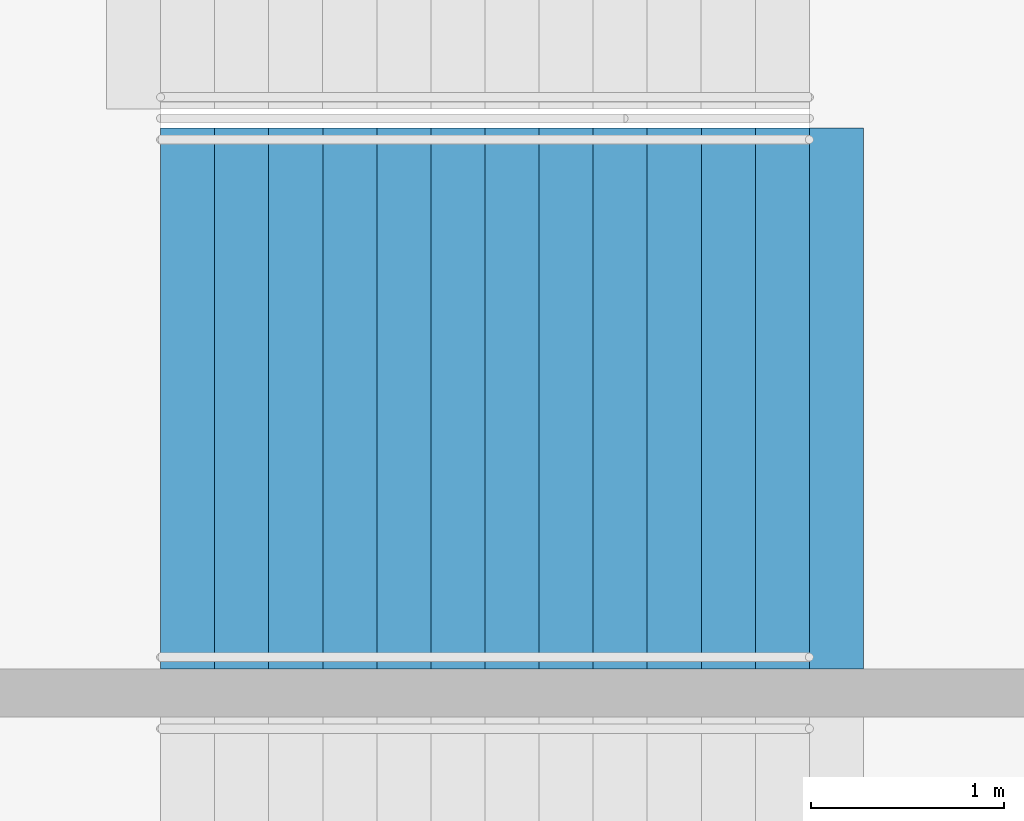
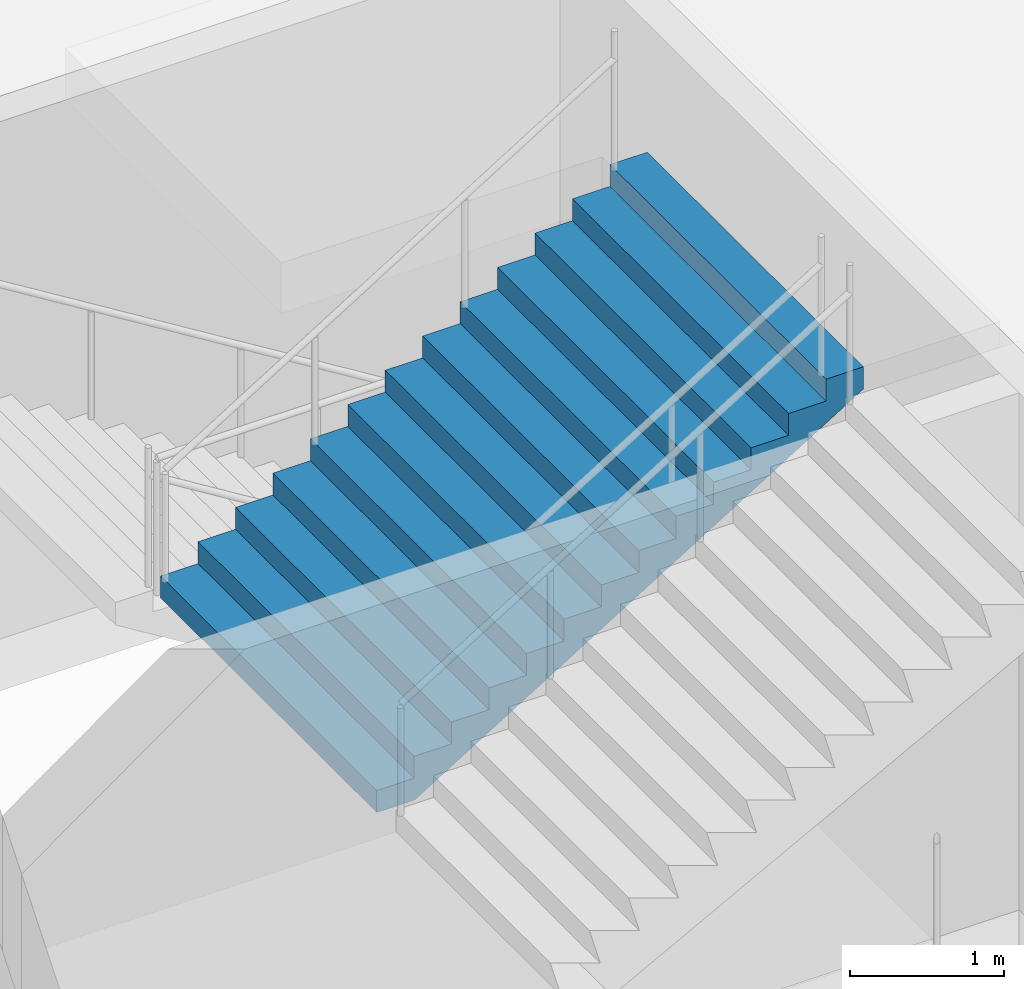
# One storey, part 158 of 249: 1 stair flight, 1 element without a shape of its own.
"""IFC4 building model written with IfcOpenShell, lengths in metres."""

from ifc_helpers import new_model, si_unit, direction, frame, origin, place, context, subcontext, project, spatial, faceted_brep, material, type_object, element, aggregate, save


model = new_model("IFC4")

# Units and contexts
model_context = context("Model", 3, precision=1e-05, world=origin(), true_north=direction((0.0, 1.0)))
body_context = subcontext(model_context, "Body", "Model", "MODEL_VIEW")
ifc_project = project(units=[si_unit("LENGTHUNIT", "METRE"), si_unit("AREAUNIT", "SQUARE_METRE"), si_unit("VOLUMEUNIT", "CUBIC_METRE"), si_unit("PLANEANGLEUNIT", "RADIAN"), si_unit("MASSUNIT", "GRAM", prefix="KILO")], contexts=[model_context])

# Site, building, storey
site_placement = place(None, origin())
site = spatial("IfcSite", under=ifc_project, at=site_placement, CompositionType="ELEMENT")
building_placement = place(site_placement, origin())
building = spatial("IfcBuilding", under=site, at=building_placement, Name="Ogive Plaza Stadium", CompositionType="ELEMENT")
storey_placement = place(building_placement, frame((0.0, 0.0, 13.5)))
storey = spatial("IfcBuildingStorey", under=building, at=storey_placement, Name="L03", CompositionType="ELEMENT", Elevation=13.5)

# Stair, stair flight
ifc_material_1 = material(Name="Concrete C40/50", Category="concrete")
stair_type = type_object("IfcStairType", Name="Exit stair", PredefinedType="STRAIGHT_RUN_STAIR", material=ifc_material_1)
stair_placement = place(storey_placement, origin())
stair = element("IfcStair", 1, at=stair_placement, inside=storey, type_object=stair_type, Name="Exit stair ST22A L03 to L04", PredefinedType="STRAIGHT_RUN_STAIR")
ifc_material_2 = material(Name="Concrete C40/50", Category="concrete")
stair_flight_type = type_object("IfcStairFlightType", Name="Exit stair flight", PredefinedType="STRAIGHT", material=ifc_material_2)
stair_flight_placement = place(storey_placement, frame((-79.7099609375, -35.97509765625, 2.25), z_axis=(0.0, 0.0, 1.0), x_axis=(1.0, 0.0, 0.0)))
stair_flight = element("IfcStairFlight", 2, at=stair_flight_placement, type_object=stair_flight_type, Name="ST22A flight 2", NumberOfRisers=13, NumberOfTreads=12, PredefinedType="STRAIGHT", RiserHeight=0.173076923, TreadLength=0.28, context=body_context, shape_type="Brep", body=[
    faceted_brep([(0.28515625, -1.39990234375, 0.0), (3.639892578125, -1.39990234375, 2.07373046875), (3.639892578125, -1.39990234375, 2.25), (3.360107421875, -1.39990234375, 2.25), (3.360107421875, -1.39990234375, 2.076904296875), (3.080078125, -1.39990234375, 2.076904296875), (3.080078125, -1.39990234375, 1.90380859375), (2.800048828125, -1.39990234375, 1.90380859375), (2.800048828125, -1.39990234375, 1.730712890625), (2.52001953125, -1.39990234375, 1.730712890625), (2.52001953125, -1.39990234375, 1.5576171875), (2.239990234375, -1.39990234375, 1.5576171875), (2.239990234375, -1.39990234375, 1.384521484375), (1.9599609375, -1.39990234375, 1.384521484375), (1.9599609375, -1.39990234375, 1.21142578125), (1.679931640625, -1.39990234375, 1.21142578125), (1.679931640625, -1.39990234375, 1.03857421875), (1.39990234375, -1.39990234375, 1.03857421875), (1.39990234375, -1.39990234375, 0.865478515625), (1.1201171875, -1.39990234375, 0.865478515625), (1.1201171875, -1.39990234375, 0.6923828125), (0.840087890625, -1.39990234375, 0.6923828125), (0.840087890625, -1.39990234375, 0.519287109375), (0.56005859375, -1.39990234375, 0.519287109375), (0.56005859375, -1.39990234375, 0.34619140625), (0.280029296875, -1.39990234375, 0.34619140625), (0.280029296875, -1.39990234375, 0.173095703125), (0.0, -1.39990234375, 0.173095703125), (0.0, -1.39990234375, 0.0), (0.0, 1.39990234375, 0.0), (0.0, 1.39990234375, 0.173095703125), (0.280029296875, 1.39990234375, 0.173095703125), (0.280029296875, 1.39990234375, 0.34619140625), (0.56005859375, 1.39990234375, 0.34619140625), (0.56005859375, 1.39990234375, 0.519287109375), (0.840087890625, 1.39990234375, 0.519287109375), (0.840087890625, 1.39990234375, 0.6923828125), (1.1201171875, 1.39990234375, 0.6923828125), (1.1201171875, 1.39990234375, 0.865478515625), (1.39990234375, 1.39990234375, 0.865478515625), (1.39990234375, 1.39990234375, 1.03857421875), (1.679931640625, 1.39990234375, 1.03857421875), (1.679931640625, 1.39990234375, 1.21142578125), (1.9599609375, 1.39990234375, 1.21142578125), (1.9599609375, 1.39990234375, 1.384521484375), (2.239990234375, 1.39990234375, 1.384521484375), (2.239990234375, 1.39990234375, 1.5576171875), (2.52001953125, 1.39990234375, 1.5576171875), (2.52001953125, 1.39990234375, 1.730712890625), (2.800048828125, 1.39990234375, 1.730712890625), (2.800048828125, 1.39990234375, 1.90380859375), (3.080078125, 1.39990234375, 1.90380859375), (3.080078125, 1.39990234375, 2.076904296875), (3.360107421875, 1.39990234375, 2.076904296875), (3.360107421875, 1.39990234375, 2.25), (3.639892578125, 1.39990234375, 2.25), (3.639892578125, 1.39990234375, 2.07373046875), (0.28515625, 1.39990234375, 0.0), (0.28515625, -1.0888671875, 0.0), (3.639892578125, -1.0888671875, 2.07373046875), (0.28515625, -0.77783203125, 0.0), (3.639892578125, -0.77783203125, 2.07373046875), (0.28515625, -0.466796875, 0.0), (3.639892578125, -0.466796875, 2.07373046875), (0.28515625, -0.155517578125, 0.0), (3.639892578125, -0.155517578125, 2.07373046875), (0.28515625, 0.155517578125, 0.0), (3.639892578125, 0.155517578125, 2.07373046875), (0.28515625, 0.466796875, 0.0), (3.639892578125, 0.466796875, 2.07373046875), (0.28515625, 0.77783203125, 0.0), (3.639892578125, 0.77783203125, 2.07373046875), (0.28515625, 1.0888671875, 0.0), (3.639892578125, 1.0888671875, 2.07373046875), (3.639892578125, -1.0888671875, 2.25), (3.639892578125, -0.77783203125, 2.25), (3.639892578125, -0.466796875, 2.25), (3.639892578125, -0.155517578125, 2.25), (3.639892578125, 0.155517578125, 2.25), (3.639892578125, 0.466796875, 2.25), (3.639892578125, 0.77783203125, 2.25), (3.639892578125, 1.0888671875, 2.25), (3.360107421875, -1.0888671875, 2.25), (3.360107421875, -0.77783203125, 2.25), (3.360107421875, -0.466796875, 2.25), (3.360107421875, -0.155517578125, 2.25), (3.360107421875, 0.155517578125, 2.25), (3.360107421875, 0.466796875, 2.25), (3.360107421875, 0.77783203125, 2.25), (3.360107421875, 1.0888671875, 2.25), (3.360107421875, -1.0888671875, 2.076904296875), (3.360107421875, -0.77783203125, 2.076904296875), (3.360107421875, -0.466796875, 2.076904296875), (3.360107421875, -0.155517578125, 2.076904296875), (3.360107421875, 0.155517578125, 2.076904296875), (3.360107421875, 0.466796875, 2.076904296875), (3.360107421875, 0.77783203125, 2.076904296875), (3.360107421875, 1.0888671875, 2.076904296875), (3.080078125, -1.0888671875, 2.076904296875), (3.080078125, -0.77783203125, 2.076904296875), (3.080078125, -0.466796875, 2.076904296875), (3.080078125, -0.155517578125, 2.076904296875), (3.080078125, 0.155517578125, 2.076904296875), (3.080078125, 0.466796875, 2.076904296875), (3.080078125, 0.77783203125, 2.076904296875), (3.080078125, 1.0888671875, 2.076904296875), (3.080078125, -1.0888671875, 1.90380859375), (3.080078125, -0.77783203125, 1.90380859375), (3.080078125, -0.466796875, 1.90380859375), (3.080078125, -0.155517578125, 1.90380859375), (3.080078125, 0.155517578125, 1.90380859375), (3.080078125, 0.466796875, 1.90380859375), (3.080078125, 0.77783203125, 1.90380859375), (3.080078125, 1.0888671875, 1.90380859375), (2.800048828125, -1.0888671875, 1.90380859375), (2.800048828125, -0.77783203125, 1.90380859375), (2.800048828125, -0.466796875, 1.90380859375), (2.800048828125, -0.155517578125, 1.90380859375), (2.800048828125, 0.155517578125, 1.90380859375), (2.800048828125, 0.466796875, 1.90380859375), (2.800048828125, 0.77783203125, 1.90380859375), (2.800048828125, 1.0888671875, 1.90380859375), (2.800048828125, -1.0888671875, 1.730712890625), (2.800048828125, -0.77783203125, 1.730712890625), (2.800048828125, -0.466796875, 1.730712890625), (2.800048828125, -0.155517578125, 1.730712890625), (2.800048828125, 0.155517578125, 1.730712890625), (2.800048828125, 0.466796875, 1.730712890625), (2.800048828125, 0.77783203125, 1.730712890625), (2.800048828125, 1.0888671875, 1.730712890625), (2.52001953125, -1.0888671875, 1.730712890625), (2.52001953125, -0.77783203125, 1.730712890625), (2.52001953125, -0.466796875, 1.730712890625), (2.52001953125, -0.155517578125, 1.730712890625), (2.52001953125, 0.155517578125, 1.730712890625), (2.52001953125, 0.466796875, 1.730712890625), (2.52001953125, 0.77783203125, 1.730712890625), (2.52001953125, 1.0888671875, 1.730712890625), (2.52001953125, -1.0888671875, 1.5576171875), (2.52001953125, -0.77783203125, 1.5576171875), (2.52001953125, -0.466796875, 1.5576171875), (2.52001953125, -0.155517578125, 1.5576171875), (2.52001953125, 0.155517578125, 1.5576171875), (2.52001953125, 0.466796875, 1.5576171875), (2.52001953125, 0.77783203125, 1.5576171875), (2.52001953125, 1.0888671875, 1.5576171875), (2.239990234375, -1.0888671875, 1.5576171875), (2.239990234375, -0.77783203125, 1.5576171875), (2.239990234375, -0.466796875, 1.5576171875), (2.239990234375, -0.155517578125, 1.5576171875), (2.239990234375, 0.155517578125, 1.5576171875), (2.239990234375, 0.466796875, 1.5576171875), (2.239990234375, 0.77783203125, 1.5576171875), (2.239990234375, 1.0888671875, 1.5576171875), (2.239990234375, -1.0888671875, 1.384521484375), (2.239990234375, -0.77783203125, 1.384521484375), (2.239990234375, -0.466796875, 1.384521484375), (2.239990234375, -0.155517578125, 1.384521484375), (2.239990234375, 0.155517578125, 1.384521484375), (2.239990234375, 0.466796875, 1.384521484375), (2.239990234375, 0.77783203125, 1.384521484375), (2.239990234375, 1.0888671875, 1.384521484375), (1.9599609375, -1.0888671875, 1.384521484375), (1.9599609375, -0.77783203125, 1.384521484375), (1.9599609375, -0.466796875, 1.384521484375), (1.9599609375, -0.155517578125, 1.384521484375), (1.9599609375, 0.155517578125, 1.384521484375), (1.9599609375, 0.466796875, 1.384521484375), (1.9599609375, 0.77783203125, 1.384521484375), (1.9599609375, 1.0888671875, 1.384521484375), (1.9599609375, -1.0888671875, 1.21142578125), (1.9599609375, -0.77783203125, 1.21142578125), (1.9599609375, -0.466796875, 1.21142578125), (1.9599609375, -0.155517578125, 1.21142578125), (1.9599609375, 0.155517578125, 1.21142578125), (1.9599609375, 0.466796875, 1.21142578125), (1.9599609375, 0.77783203125, 1.21142578125), (1.9599609375, 1.0888671875, 1.21142578125), (1.679931640625, -1.0888671875, 1.21142578125), (1.679931640625, -0.77783203125, 1.21142578125), (1.679931640625, -0.466796875, 1.21142578125), (1.679931640625, -0.155517578125, 1.21142578125), (1.679931640625, 0.155517578125, 1.21142578125), (1.679931640625, 0.466796875, 1.21142578125), (1.679931640625, 0.77783203125, 1.21142578125), (1.679931640625, 1.0888671875, 1.21142578125), (1.679931640625, -1.0888671875, 1.03857421875), (1.679931640625, -0.77783203125, 1.03857421875), (1.679931640625, -0.466796875, 1.03857421875), (1.679931640625, -0.155517578125, 1.03857421875), (1.679931640625, 0.155517578125, 1.03857421875), (1.679931640625, 0.466796875, 1.03857421875), (1.679931640625, 0.77783203125, 1.03857421875), (1.679931640625, 1.0888671875, 1.03857421875), (1.39990234375, -1.0888671875, 1.03857421875), (1.39990234375, -0.77783203125, 1.03857421875), (1.39990234375, -0.466796875, 1.03857421875), (1.39990234375, -0.155517578125, 1.03857421875), (1.39990234375, 0.155517578125, 1.03857421875), (1.39990234375, 0.466796875, 1.03857421875), (1.39990234375, 0.77783203125, 1.03857421875), (1.39990234375, 1.0888671875, 1.03857421875), (1.39990234375, -1.0888671875, 0.865478515625), (1.39990234375, -0.77783203125, 0.865478515625), (1.39990234375, -0.466796875, 0.865478515625), (1.39990234375, -0.155517578125, 0.865478515625), (1.39990234375, 0.155517578125, 0.865478515625), (1.39990234375, 0.466796875, 0.865478515625), (1.39990234375, 0.77783203125, 0.865478515625), (1.39990234375, 1.0888671875, 0.865478515625), (1.1201171875, -1.0888671875, 0.865478515625), (1.1201171875, -0.77783203125, 0.865478515625), (1.1201171875, -0.466796875, 0.865478515625), (1.1201171875, -0.155517578125, 0.865478515625), (1.1201171875, 0.155517578125, 0.865478515625), (1.1201171875, 0.466796875, 0.865478515625), (1.1201171875, 0.77783203125, 0.865478515625), (1.1201171875, 1.0888671875, 0.865478515625), (1.1201171875, -1.0888671875, 0.6923828125), (1.1201171875, -0.77783203125, 0.6923828125), (1.1201171875, -0.466796875, 0.6923828125), (1.1201171875, -0.155517578125, 0.6923828125), (1.1201171875, 0.155517578125, 0.6923828125), (1.1201171875, 0.466796875, 0.6923828125), (1.1201171875, 0.77783203125, 0.6923828125), (1.1201171875, 1.0888671875, 0.6923828125), (0.840087890625, -1.0888671875, 0.6923828125), (0.840087890625, -0.77783203125, 0.6923828125), (0.840087890625, -0.466796875, 0.6923828125), (0.840087890625, -0.155517578125, 0.6923828125), (0.840087890625, 0.155517578125, 0.6923828125), (0.840087890625, 0.466796875, 0.6923828125), (0.840087890625, 0.77783203125, 0.6923828125), (0.840087890625, 1.0888671875, 0.6923828125), (0.840087890625, -1.0888671875, 0.519287109375), (0.840087890625, -0.77783203125, 0.519287109375), (0.840087890625, -0.466796875, 0.519287109375), (0.840087890625, -0.155517578125, 0.519287109375), (0.840087890625, 0.155517578125, 0.519287109375), (0.840087890625, 0.466796875, 0.519287109375), (0.840087890625, 0.77783203125, 0.519287109375), (0.840087890625, 1.0888671875, 0.519287109375), (0.56005859375, -1.0888671875, 0.519287109375), (0.56005859375, -0.77783203125, 0.519287109375), (0.56005859375, -0.466796875, 0.519287109375), (0.56005859375, -0.155517578125, 0.519287109375), (0.56005859375, 0.155517578125, 0.519287109375), (0.56005859375, 0.466796875, 0.519287109375), (0.56005859375, 0.77783203125, 0.519287109375), (0.56005859375, 1.0888671875, 0.519287109375), (0.56005859375, -1.0888671875, 0.34619140625), (0.56005859375, -0.77783203125, 0.34619140625), (0.56005859375, -0.466796875, 0.34619140625), (0.56005859375, -0.155517578125, 0.34619140625), (0.56005859375, 0.155517578125, 0.34619140625), (0.56005859375, 0.466796875, 0.34619140625), (0.56005859375, 0.77783203125, 0.34619140625), (0.56005859375, 1.0888671875, 0.34619140625), (0.280029296875, -1.0888671875, 0.34619140625), (0.280029296875, -0.77783203125, 0.34619140625), (0.280029296875, -0.466796875, 0.34619140625), (0.280029296875, -0.155517578125, 0.34619140625), (0.280029296875, 0.155517578125, 0.34619140625), (0.280029296875, 0.466796875, 0.34619140625), (0.280029296875, 0.77783203125, 0.34619140625), (0.280029296875, 1.0888671875, 0.34619140625), (0.280029296875, -1.0888671875, 0.173095703125), (0.280029296875, -0.77783203125, 0.173095703125), (0.280029296875, -0.466796875, 0.173095703125), (0.280029296875, -0.155517578125, 0.173095703125), (0.280029296875, 0.155517578125, 0.173095703125), (0.280029296875, 0.466796875, 0.173095703125), (0.280029296875, 0.77783203125, 0.173095703125), (0.280029296875, 1.0888671875, 0.173095703125), (0.0, -1.0888671875, 0.173095703125), (0.0, -0.77783203125, 0.173095703125), (0.0, -0.466796875, 0.173095703125), (0.0, -0.155517578125, 0.173095703125), (0.0, 0.155517578125, 0.173095703125), (0.0, 0.466796875, 0.173095703125), (0.0, 0.77783203125, 0.173095703125), (0.0, 1.0888671875, 0.173095703125), (0.0, -1.0888671875, 0.0), (0.0, -0.77783203125, 0.0), (0.0, -0.466796875, 0.0), (0.0, -0.155517578125, 0.0), (0.0, 0.155517578125, 0.0), (0.0, 0.466796875, 0.0), (0.0, 0.77783203125, 0.0), (0.0, 1.0888671875, 0.0)], [[[0, 1, 2, 3, 4, 5, 6, 7, 8, 9, 10, 11, 12, 13, 14, 15, 16, 17, 18, 19, 20, 21, 22, 23, 24, 25, 26, 27, 28]], [[29, 30, 31, 32, 33, 34, 35, 36, 37, 38, 39, 40, 41, 42, 43, 44, 45, 46, 47, 48, 49, 50, 51, 52, 53, 54, 55, 56, 57]], [[0, 58, 59, 1]], [[58, 60, 61, 59]], [[60, 62, 63, 61]], [[62, 64, 65, 63]], [[64, 66, 67, 65]], [[66, 68, 69, 67]], [[68, 70, 71, 69]], [[70, 72, 73, 71]], [[72, 57, 56, 73]], [[1, 59, 74, 2]], [[59, 61, 75, 74]], [[61, 63, 76, 75]], [[63, 65, 77, 76]], [[65, 67, 78, 77]], [[67, 69, 79, 78]], [[69, 71, 80, 79]], [[71, 73, 81, 80]], [[73, 56, 55, 81]], [[2, 74, 82, 3]], [[74, 75, 83, 82]], [[75, 76, 84, 83]], [[76, 77, 85, 84]], [[77, 78, 86, 85]], [[78, 79, 87, 86]], [[79, 80, 88, 87]], [[80, 81, 89, 88]], [[81, 55, 54, 89]], [[3, 82, 90, 4]], [[82, 83, 91, 90]], [[83, 84, 92, 91]], [[84, 85, 93, 92]], [[85, 86, 94, 93]], [[86, 87, 95, 94]], [[87, 88, 96, 95]], [[88, 89, 97, 96]], [[89, 54, 53, 97]], [[4, 90, 98, 5]], [[90, 91, 99, 98]], [[91, 92, 100, 99]], [[92, 93, 101, 100]], [[93, 94, 102, 101]], [[94, 95, 103, 102]], [[95, 96, 104, 103]], [[96, 97, 105, 104]], [[97, 53, 52, 105]], [[5, 98, 106, 6]], [[98, 99, 107, 106]], [[99, 100, 108, 107]], [[100, 101, 109, 108]], [[101, 102, 110, 109]], [[102, 103, 111, 110]], [[103, 104, 112, 111]], [[104, 105, 113, 112]], [[105, 52, 51, 113]], [[6, 106, 114, 7]], [[106, 107, 115, 114]], [[107, 108, 116, 115]], [[108, 109, 117, 116]], [[109, 110, 118, 117]], [[110, 111, 119, 118]], [[111, 112, 120, 119]], [[112, 113, 121, 120]], [[113, 51, 50, 121]], [[7, 114, 122, 8]], [[114, 115, 123, 122]], [[115, 116, 124, 123]], [[116, 117, 125, 124]], [[117, 118, 126, 125]], [[118, 119, 127, 126]], [[119, 120, 128, 127]], [[120, 121, 129, 128]], [[121, 50, 49, 129]], [[8, 122, 130, 9]], [[122, 123, 131, 130]], [[123, 124, 132, 131]], [[124, 125, 133, 132]], [[125, 126, 134, 133]], [[126, 127, 135, 134]], [[127, 128, 136, 135]], [[128, 129, 137, 136]], [[129, 49, 48, 137]], [[9, 130, 138, 10]], [[130, 131, 139, 138]], [[131, 132, 140, 139]], [[132, 133, 141, 140]], [[133, 134, 142, 141]], [[134, 135, 143, 142]], [[135, 136, 144, 143]], [[136, 137, 145, 144]], [[137, 48, 47, 145]], [[10, 138, 146, 11]], [[138, 139, 147, 146]], [[139, 140, 148, 147]], [[140, 141, 149, 148]], [[141, 142, 150, 149]], [[142, 143, 151, 150]], [[143, 144, 152, 151]], [[144, 145, 153, 152]], [[145, 47, 46, 153]], [[11, 146, 154, 12]], [[146, 147, 155, 154]], [[147, 148, 156, 155]], [[148, 149, 157, 156]], [[149, 150, 158, 157]], [[150, 151, 159, 158]], [[151, 152, 160, 159]], [[152, 153, 161, 160]], [[153, 46, 45, 161]], [[12, 154, 162, 13]], [[154, 155, 163, 162]], [[155, 156, 164, 163]], [[156, 157, 165, 164]], [[157, 158, 166, 165]], [[158, 159, 167, 166]], [[159, 160, 168, 167]], [[160, 161, 169, 168]], [[161, 45, 44, 169]], [[13, 162, 170, 14]], [[162, 163, 171, 170]], [[163, 164, 172, 171]], [[164, 165, 173, 172]], [[165, 166, 174, 173]], [[166, 167, 175, 174]], [[167, 168, 176, 175]], [[168, 169, 177, 176]], [[169, 44, 43, 177]], [[14, 170, 178, 15]], [[170, 171, 179, 178]], [[171, 172, 180, 179]], [[172, 173, 181, 180]], [[173, 174, 182, 181]], [[174, 175, 183, 182]], [[175, 176, 184, 183]], [[176, 177, 185, 184]], [[177, 43, 42, 185]], [[15, 178, 186, 16]], [[178, 179, 187, 186]], [[179, 180, 188, 187]], [[180, 181, 189, 188]], [[181, 182, 190, 189]], [[182, 183, 191, 190]], [[183, 184, 192, 191]], [[184, 185, 193, 192]], [[185, 42, 41, 193]], [[16, 186, 194, 17]], [[186, 187, 195, 194]], [[187, 188, 196, 195]], [[188, 189, 197, 196]], [[189, 190, 198, 197]], [[190, 191, 199, 198]], [[191, 192, 200, 199]], [[192, 193, 201, 200]], [[193, 41, 40, 201]], [[17, 194, 202, 18]], [[194, 195, 203, 202]], [[195, 196, 204, 203]], [[196, 197, 205, 204]], [[197, 198, 206, 205]], [[198, 199, 207, 206]], [[199, 200, 208, 207]], [[200, 201, 209, 208]], [[201, 40, 39, 209]], [[18, 202, 210, 19]], [[202, 203, 211, 210]], [[203, 204, 212, 211]], [[204, 205, 213, 212]], [[205, 206, 214, 213]], [[206, 207, 215, 214]], [[207, 208, 216, 215]], [[208, 209, 217, 216]], [[209, 39, 38, 217]], [[19, 210, 218, 20]], [[210, 211, 219, 218]], [[211, 212, 220, 219]], [[212, 213, 221, 220]], [[213, 214, 222, 221]], [[214, 215, 223, 222]], [[215, 216, 224, 223]], [[216, 217, 225, 224]], [[217, 38, 37, 225]], [[20, 218, 226, 21]], [[218, 219, 227, 226]], [[219, 220, 228, 227]], [[220, 221, 229, 228]], [[221, 222, 230, 229]], [[222, 223, 231, 230]], [[223, 224, 232, 231]], [[224, 225, 233, 232]], [[225, 37, 36, 233]], [[21, 226, 234, 22]], [[226, 227, 235, 234]], [[227, 228, 236, 235]], [[228, 229, 237, 236]], [[229, 230, 238, 237]], [[230, 231, 239, 238]], [[231, 232, 240, 239]], [[232, 233, 241, 240]], [[233, 36, 35, 241]], [[22, 234, 242, 23]], [[234, 235, 243, 242]], [[235, 236, 244, 243]], [[236, 237, 245, 244]], [[237, 238, 246, 245]], [[238, 239, 247, 246]], [[239, 240, 248, 247]], [[240, 241, 249, 248]], [[241, 35, 34, 249]], [[23, 242, 250, 24]], [[242, 243, 251, 250]], [[243, 244, 252, 251]], [[244, 245, 253, 252]], [[245, 246, 254, 253]], [[246, 247, 255, 254]], [[247, 248, 256, 255]], [[248, 249, 257, 256]], [[249, 34, 33, 257]], [[24, 250, 258, 25]], [[250, 251, 259, 258]], [[251, 252, 260, 259]], [[252, 253, 261, 260]], [[253, 254, 262, 261]], [[254, 255, 263, 262]], [[255, 256, 264, 263]], [[256, 257, 265, 264]], [[257, 33, 32, 265]], [[25, 258, 266, 26]], [[258, 259, 267, 266]], [[259, 260, 268, 267]], [[260, 261, 269, 268]], [[261, 262, 270, 269]], [[262, 263, 271, 270]], [[263, 264, 272, 271]], [[264, 265, 273, 272]], [[265, 32, 31, 273]], [[26, 266, 274, 27]], [[266, 267, 275, 274]], [[267, 268, 276, 275]], [[268, 269, 277, 276]], [[269, 270, 278, 277]], [[270, 271, 279, 278]], [[271, 272, 280, 279]], [[272, 273, 281, 280]], [[273, 31, 30, 281]], [[27, 274, 282, 28]], [[274, 275, 283, 282]], [[275, 276, 284, 283]], [[276, 277, 285, 284]], [[277, 278, 286, 285]], [[278, 279, 287, 286]], [[279, 280, 288, 287]], [[280, 281, 289, 288]], [[281, 30, 29, 289]], [[28, 282, 58, 0]], [[282, 283, 60, 58]], [[283, 284, 62, 60]], [[284, 285, 64, 62]], [[285, 286, 66, 64]], [[286, 287, 68, 66]], [[287, 288, 70, 68]], [[288, 289, 72, 70]], [[289, 29, 57, 72]]]),
])
aggregate(stair, [stair_flight])

save(model, "model.ifc")
